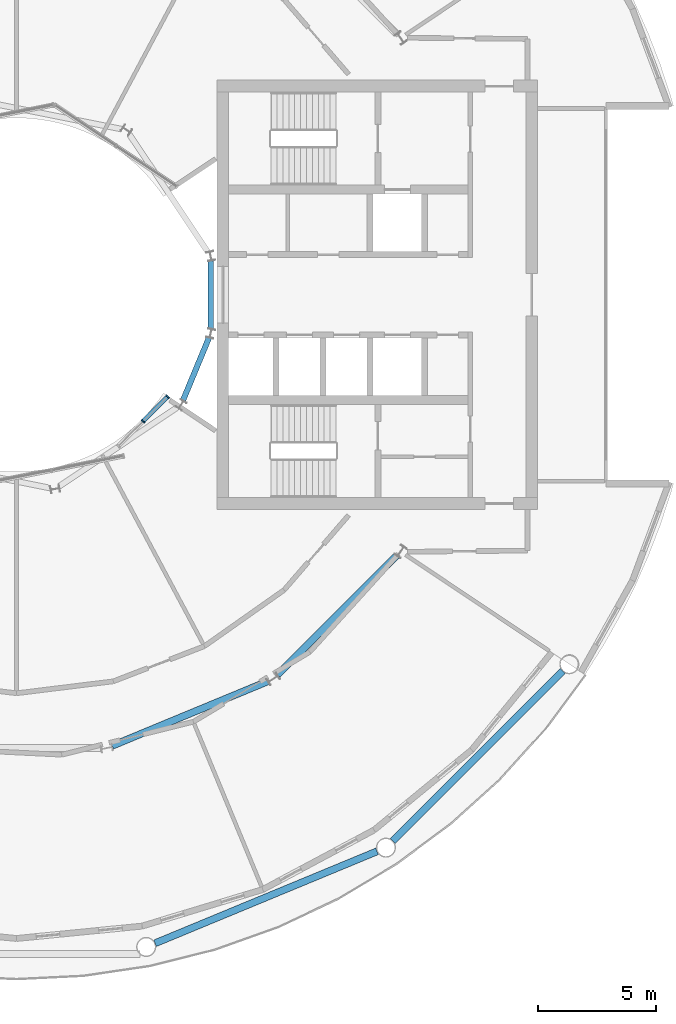
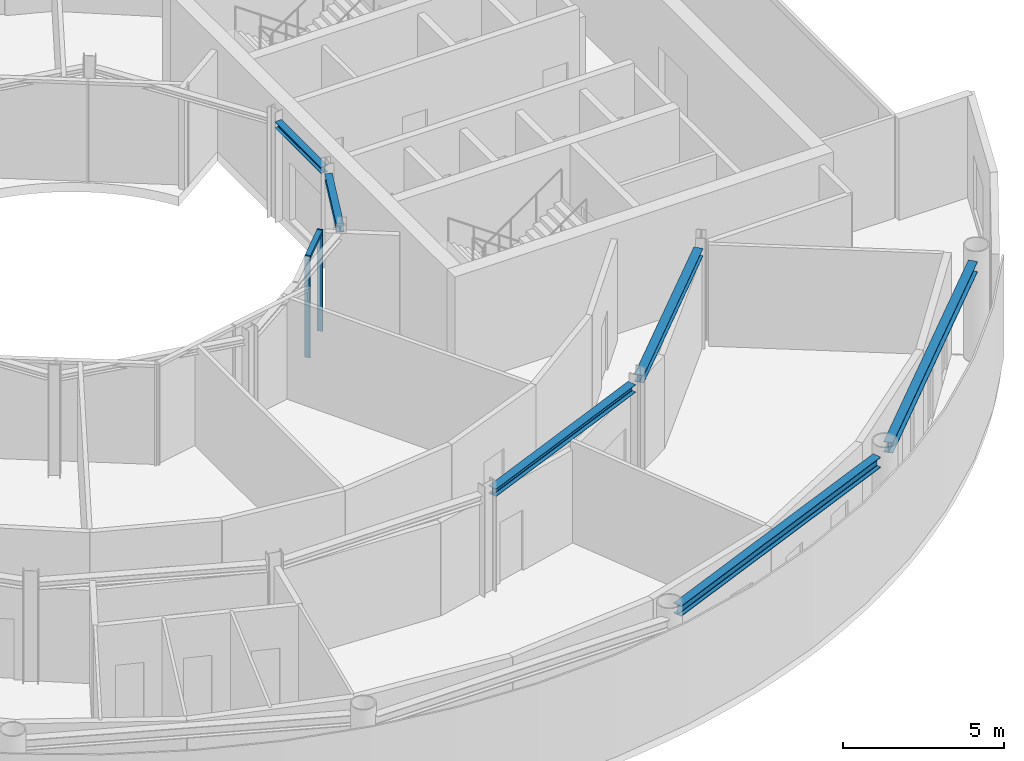
# One storey, part 7 of 21: 6 beams, 3 members, 1 element without a shape of its own.
"""IFC4 building model written with IfcOpenShell, lengths in metres."""

from ifc_helpers import new_model, si_unit, direction, frame, origin, origin_2d, place, context, subcontext, project, spatial, rectangle, i_section, extrude, material, layer, layer_set, material_profile, profile_set, type_object, element, aggregate, save


model = new_model("IFC4")

# Units and contexts
model_context = context("Model", 3, precision=1e-05, world=origin(), true_north=direction((0.0, 1.0)))
body_context = subcontext(model_context, "Body", "Model", "MODEL_VIEW")
ifc_project = project(units=[si_unit("LENGTHUNIT", "METRE"), si_unit("AREAUNIT", "SQUARE_METRE"), si_unit("VOLUMEUNIT", "CUBIC_METRE"), si_unit("PLANEANGLEUNIT", "RADIAN"), si_unit("MASSUNIT", "GRAM", prefix="KILO")], contexts=[model_context])

# Site, building, storey
site_placement = place(None, origin())
site = spatial("IfcSite", under=ifc_project, at=site_placement, CompositionType="ELEMENT")
building_placement = place(site_placement, origin())
building = spatial("IfcBuilding", under=site, at=building_placement, Name="Maasbend Ring Residences", CompositionType="ELEMENT")
storey_placement = place(building_placement, frame((0.0, 0.0, 157.39990234375)))
storey = spatial("IfcBuildingStorey", under=building, at=storey_placement, Name="L45", CompositionType="ELEMENT", Elevation=157.39990234375)

# Curtain wall, members
ifc_material_1 = material(Name="Aluminium and clear glass", Category="aluminium")
ifc_layer = layer(ifc_material_1, 0.179931640625)
ifc_layer_set = layer_set([ifc_layer], Name="CW-W")
curtain_wall_type = type_object("IfcCurtainWallType", Name="CW-W", PredefinedType="NOTDEFINED", material=ifc_layer_set)
curtain_wall_placement = place(storey_placement, origin())
curtain_wall = element("IfcCurtainWall", 1, at=curtain_wall_placement, inside=storey, type_object=curtain_wall_type, Name="Well curtain wall S3", PredefinedType="NOTDEFINED")
ifc_material_2 = material(Name="Aluminium 6063-T6", Category="aluminium")
ifc_material_profile_1 = material_profile(ifc_material_2, rectangle(XDim=0.179931640625, YDim=0.06005859375, at=origin_2d()), Name="AL 180x60")
ifc_profile_set_1 = profile_set([ifc_material_profile_1], Name="Aluminium 6063-T6")
member_type_1 = type_object("IfcMemberType", Name="CWM-W", PredefinedType="MULLION", material=ifc_profile_set_1)
member_1_placement = place(storey_placement, frame((5.366943359375, -5.366943359375, 0.0), z_axis=(0.0, 0.0, 1.0), x_axis=(-0.707106781187, 0.707106781187, 0.0)))
member_1 = element("IfcMember", 2, at=member_1_placement, type_object=member_type_1, Name="Mullion well face", PredefinedType="MULLION", context=body_context, shape_type="SweptSolid", body=[
    extrude(rectangle(XDim=0.179931640625, YDim=0.06005859375, at=origin_2d()), origin(), (0.0, 0.0, 1.0), 3.85009765625),
])
member_2_placement = place(storey_placement, frame((6.413330078125, -4.320556640625, 0.0), z_axis=(0.0, 0.0, 1.0), x_axis=(-0.707106781187, 0.707106781187, 0.0)))
member_2 = element("IfcMember", 3, at=member_2_placement, type_object=member_type_1, Name="Mullion well face", PredefinedType="MULLION", context=body_context, shape_type="SweptSolid", body=[
    extrude(rectangle(XDim=0.179931640625, YDim=0.06005859375, at=origin_2d()), origin(), (0.0, 0.0, 1.0), 3.85009765625),
])
ifc_material_3 = material(Name="Aluminium 6063-T6", Category="aluminium")
ifc_material_profile_2 = material_profile(ifc_material_3, rectangle(XDim=0.179931640625, YDim=0.1201171875, at=origin_2d()), Name="AL 180x120")
ifc_profile_set_2 = profile_set([ifc_material_profile_2], Name="Aluminium 6063-T6")
member_type_2 = type_object("IfcMemberType", Name="CWT-W", PredefinedType="USERDEFINED", material=ifc_profile_set_2)
member_3_placement = place(storey_placement, frame((5.38818359375, -5.345703125, 3.7900390625), z_axis=(0.707106781187, 0.707106781187, 0.0), x_axis=(-0.707106781187, 0.707106781187, 0.0)))
member_3 = element("IfcMember", 4, at=member_3_placement, type_object=member_type_2, Name="Transom well face", ObjectType="TRANSOM", PredefinedType="USERDEFINED", context=body_context, shape_type="SweptSolid", body=[
    extrude(rectangle(XDim=0.179931640625, YDim=0.1201171875, at=origin_2d()), origin(), (0.0, 0.0, 1.0), 1.419677734375),
])
aggregate(curtain_wall, [member_1, member_2, member_3])

# Beams
ifc_material_4 = material(Name="Steel S355J2", Category="steel")
ifc_material_profile_3 = material_profile(ifc_material_4, i_section(OverallWidth=0.300048828125, OverallDepth=0.2900390625, WebThickness=0.008544921875, FlangeThickness=0.013916015625, FilletRadius=0.027099609375, at=origin_2d()), Name="HEA 300")
ifc_profile_set_3 = profile_set([ifc_material_profile_3], Name="Steel S355J2")
beam_type_1 = type_object("IfcBeamType", Name="Corridor ring beam HEA 300", PredefinedType="BEAM", material=ifc_profile_set_3)
for number, where, z_axis, x_axis, name in (
    (5, (4.059326171875, -19.1259765625, 3.705078125), (0.923871339849, 0.382703210602, 0.0), (-0.382703210602, 0.923871339849, 0.0), "Corridor ring beam"),
    (6, (11.0693359375, -16.11669921875, 3.705078125), (0.707106781187, 0.707106781187, 0.0), (-0.707106781187, 0.707106781187, 0.0), "Corridor ring beam"),
):
    element("IfcBeam", number, at=place(storey_placement, frame(where, z_axis=z_axis, x_axis=x_axis)), inside=storey, type_object=beam_type_1, Name=name, PredefinedType="BEAM", context=body_context, shape_type="SweptSolid", body=[
        extrude(i_section(OverallWidth=0.300048828125, OverallDepth=0.2900390625, WebThickness=0.008544921875, FlangeThickness=0.013916015625, FilletRadius=0.027099609375, at=origin_2d()), origin(), (0.0, 0.0, 1.0), 7.137939453125),
    ])
ifc_material_5 = material(Name="Steel S355J2", Category="steel")
ifc_material_profile_4 = material_profile(ifc_material_5, i_section(OverallWidth=0.300048828125, OverallDepth=0.39990234375, WebThickness=0.013427734375, FlangeThickness=0.02392578125, FilletRadius=0.027099609375, at=origin_2d()), Name="HEB 400")
ifc_profile_set_4 = profile_set([ifc_material_profile_4], Name="Steel S355J2")
beam_type_2 = type_object("IfcBeamType", Name="Spandrel ring beam HEB 400", PredefinedType="SPANDREL", material=ifc_profile_set_4)
for number, where, z_axis, x_axis, name in (
    (7, (5.877197265625, -27.50244140625, 3.650146484375), (0.923883676188, 0.382673428492, 0.0), (-0.382673428492, 0.923883676188, 0.0), "Spandrel ring beam"),
    (8, (15.95458984375, -23.159912109375, 3.650146484375), (0.707106781187, 0.707106781187, 0.0), (-0.707106781187, 0.707106781187, 0.0), "Spandrel ring beam"),
):
    element("IfcBeam", number, at=place(storey_placement, frame(where, z_axis=z_axis, x_axis=x_axis)), inside=storey, type_object=beam_type_2, Name=name, PredefinedType="SPANDREL", context=body_context, shape_type="SweptSolid", body=[
        extrude(i_section(OverallWidth=0.300048828125, OverallDepth=0.39990234375, WebThickness=0.013427734375, FlangeThickness=0.02392578125, FilletRadius=0.027099609375, at=origin_2d()), origin(), (0.0, 0.0, 1.0), 10.18994140625),
    ])
ifc_material_6 = material(Name="Steel S355J2", Category="steel")
ifc_material_profile_5 = material_profile(ifc_material_6, i_section(OverallWidth=0.239990234375, OverallDepth=0.22998046875, WebThickness=0.007568359375, FlangeThickness=0.011962890625, FilletRadius=0.02099609375, at=origin_2d()), Name="HEA 240")
ifc_profile_set_5 = profile_set([ifc_material_profile_5], Name="Steel S355J2")
beam_type_3 = type_object("IfcBeamType", Name="Well edge beam HEA 240", PredefinedType="BEAM", material=ifc_profile_set_5)
for number, where, z_axis, x_axis, name in (
    (9, (7.060302734375, -4.483154296875, 3.735107421875), (0.382748596828, 0.923852537814, 0.0), (-0.923852537814, 0.382748596828, 0.0), "Well edge beam"),
    (10, (8.238525390625, -1.43994140625, 3.735107421875), (0.0, 1.0, 0.0), (-1.0, 0.0, 0.0), "Well edge beam"),
):
    element("IfcBeam", number, at=place(storey_placement, frame(where, z_axis=z_axis, x_axis=x_axis)), inside=storey, type_object=beam_type_3, Name=name, PredefinedType="BEAM", context=body_context, shape_type="SweptSolid", body=[
        extrude(i_section(OverallWidth=0.239990234375, OverallDepth=0.22998046875, WebThickness=0.007568359375, FlangeThickness=0.011962890625, FilletRadius=0.02099609375, at=origin_2d()), origin(), (0.0, 0.0, 1.0), 2.8798828125),
    ])

save(model, "model.ifc")
